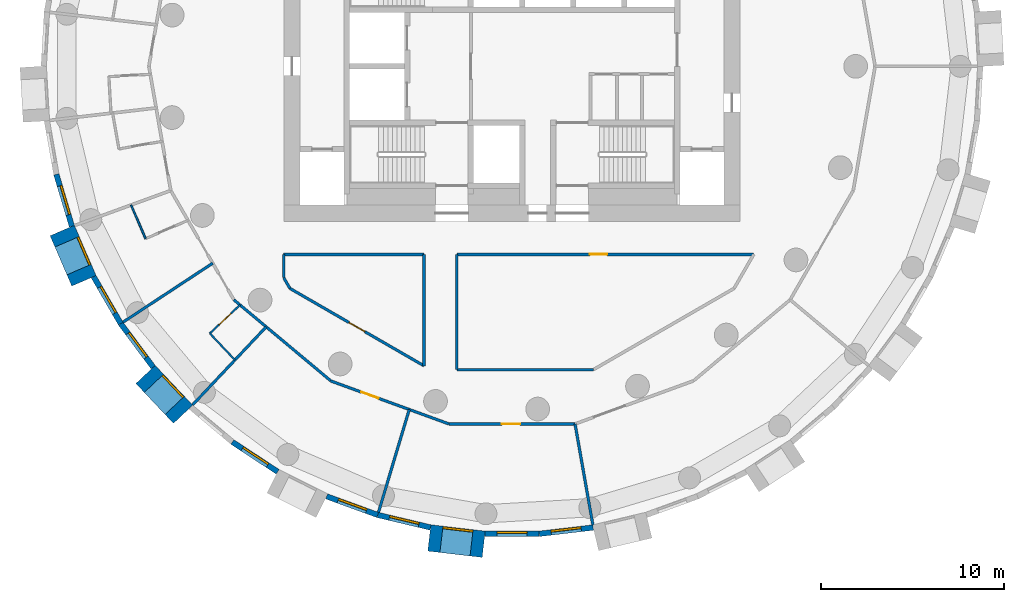
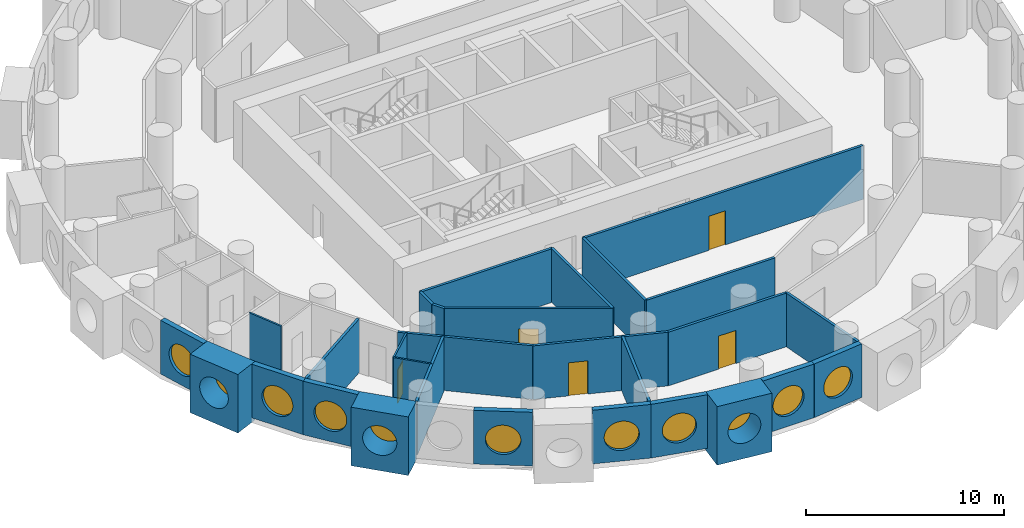
# One storey, part 2 of 9: 29 walls, 11 windows, 5 doors, 16 openings.
"""IFC4 building model written with IfcOpenShell, lengths in metres."""

from ifc_helpers import new_model, si_unit, direction, frame, frame_2d, origin, origin_2d, place, context, subcontext, project, spatial, rectangle, circle, extrude, material, layer, layer_set, type_object, element, fill, save


model = new_model("IFC4")

# Units and contexts
model_context = context("Model", 3, precision=1e-05, world=origin(), true_north=direction((0.0, 1.0)))
body_context = subcontext(model_context, "Body", "Model", "MODEL_VIEW")
ifc_project = project(units=[si_unit("LENGTHUNIT", "METRE"), si_unit("AREAUNIT", "SQUARE_METRE"), si_unit("VOLUMEUNIT", "CUBIC_METRE"), si_unit("PLANEANGLEUNIT", "RADIAN"), si_unit("MASSUNIT", "GRAM", prefix="KILO")], contexts=[model_context])

# Site, building, storey
site_placement = place(None, origin())
site = spatial("IfcSite", under=ifc_project, at=site_placement, CompositionType="ELEMENT")
building_placement = place(site_placement, origin())
building = spatial("IfcBuilding", under=site, at=building_placement, Name="Tracery Tower", CompositionType="ELEMENT")
storey_placement = place(building_placement, frame((0.0, 0.0, 205.199951171875)))
storey = spatial("IfcBuildingStorey", under=building, at=storey_placement, Name="L53", CompositionType="ELEMENT", Elevation=205.199951171875)

# Wall, opening, window
ifc_material_1 = material(Name="Precast concrete C50/60", Category="concrete")
ifc_layer_1 = layer(ifc_material_1, 1.449951171875)
ifc_layer_set_1 = layer_set([ifc_layer_1], Name="Deep-set bay unit 3000 x 3600, slab edge 300")
wall_type_1 = type_object("IfcWallType", Name="Deep-set bay unit 3000 x 3600, slab edge 300", PredefinedType="ELEMENTEDWALL", material=ifc_layer_set_1)
wall_1_placement = place(storey_placement, frame((-24.632080078125, -8.99169921875, -0.300048828125), z_axis=(0.0, 0.0, 1.0), x_axis=(0.396079003245, -0.918216435917, 0.0)))
wall_1 = element("IfcWall", 1, at=wall_1_placement, inside=storey, type_object=wall_type_1, Name="Deep-set bay unit 31 at L53", PredefinedType="ELEMENTEDWALL", context=body_context, shape_type="SweptSolid", body=[
    extrude(rectangle(XDim=3.0, YDim=1.449951171875, at=frame_2d((1.5, 0.0))), origin(), (0.0, 0.0, 1.0), 3.60009765625),
])
opening_1_placement = place(wall_1_placement, frame((1.5, 0.0, 1.85009765625)))
opening_1 = element("IfcOpeningElement", 2, at=opening_1_placement, cuts=wall_1, Name="Opening WN1", PredefinedType="OPENING", context=body_context, shape_type="SweptSolid", body=[
    extrude(circle(Radius=0.9000244140625, at=origin_2d()), frame((0.0, 0.73486328125, 0.0), z_axis=(0.0, -1.0, 0.0), x_axis=(1.0, 0.0, 0.0)), (0.0, 0.0, 1.0), 1.469970703125),
])
ifc_material_2 = material(Name="Aluminium frame with tinted double glazing", Category="aluminium")
window_type = type_object("IfcWindowType", Name="Round window 1800", PartitioningType="SINGLE_PANEL", PredefinedType="WINDOW", material=ifc_material_2)
window_1_placement = place(opening_1_placement, origin())
window_1 = element("IfcWindow", 3, at=window_1_placement, inside=storey, type_object=window_type, Name="Round window 31 at L53", OverallHeight=1.800048828125, OverallWidth=1.800048828125, PartitioningType="SINGLE_PANEL", PredefinedType="WINDOW", context=body_context, shape_type="SweptSolid", body=[
    extrude(circle(Radius=0.9000244140625, at=origin_2d()), frame((0.0, 0.69482421875, 0.0), z_axis=(0.0, -1.0, 0.0), x_axis=(1.0, 0.0, 0.0)), (0.0, 0.0, 1.0), 0.10009765625),
])
fill(opening_1, window_1)

wall_2_placement = place(storey_placement, frame((-20.0712890625, -16.8740234375, -0.300048828125), z_axis=(0.0, 0.0, 1.0), x_axis=(0.686217177108, -0.727396718334, 0.0)))
wall_2 = element("IfcWall", 4, at=wall_2_placement, inside=storey, type_object=wall_type_1, Name="Deep-set bay unit 34 at L53", PredefinedType="ELEMENTEDWALL", context=body_context, shape_type="SweptSolid", body=[
    extrude(rectangle(XDim=3.0, YDim=1.449951171875, at=frame_2d((1.5, 0.0))), origin(), (0.0, 0.0, 1.0), 3.60009765625),
])
opening_2_placement = place(wall_2_placement, frame((1.5, 0.0, 1.85009765625)))
opening_2 = element("IfcOpeningElement", 5, at=opening_2_placement, cuts=wall_2, Name="Opening WN1", PredefinedType="OPENING", context=body_context, shape_type="SweptSolid", body=[
    extrude(circle(Radius=0.9000244140625, at=origin_2d()), frame((0.0, 0.73486328125, 0.0), z_axis=(0.0, -1.0, 0.0), x_axis=(1.0, 0.0, 0.0)), (0.0, 0.0, 1.0), 1.469970703125),
])
window_2_placement = place(opening_2_placement, origin())
window_2 = element("IfcWindow", 6, at=window_2_placement, inside=storey, type_object=window_type, Name="Round window 34 at L53", OverallHeight=1.800048828125, OverallWidth=1.800048828125, PartitioningType="SINGLE_PANEL", PredefinedType="WINDOW", context=body_context, shape_type="SweptSolid", body=[
    extrude(circle(Radius=0.9000244140625, at=origin_2d()), frame((0.0, 0.69482421875, 0.0), z_axis=(0.0, -1.0, 0.0), x_axis=(1.0, 0.0, 0.0)), (0.0, 0.0, 1.0), 0.10009765625),
])
fill(opening_2, window_2)

wall_3_placement = place(storey_placement, frame((-4.529052734375, -25.827880859375, -0.300048828125), z_axis=(0.0, 0.0, 1.0), x_axis=(0.9932342274, -0.116128246006, 0.0)))
wall_3 = element("IfcWall", 7, at=wall_3_placement, inside=storey, type_object=wall_type_1, Name="Deep-set bay unit 40 at L53", PredefinedType="ELEMENTEDWALL", context=body_context, shape_type="SweptSolid", body=[
    extrude(rectangle(XDim=3.0, YDim=1.449951171875, at=frame_2d((1.5, 0.0))), origin(), (0.0, 0.0, 1.0), 3.60009765625),
])
opening_3_placement = place(wall_3_placement, frame((1.5, 0.0, 1.85009765625)))
opening_3 = element("IfcOpeningElement", 8, at=opening_3_placement, cuts=wall_3, Name="Opening WN1", PredefinedType="OPENING", context=body_context, shape_type="SweptSolid", body=[
    extrude(circle(Radius=0.9000244140625, at=origin_2d()), frame((0.0, 0.73486328125, 0.0), z_axis=(0.0, -1.0, 0.0), x_axis=(1.0, 0.0, 0.0)), (0.0, 0.0, 1.0), 1.469970703125),
])
window_3_placement = place(opening_3_placement, origin())
window_3 = element("IfcWindow", 9, at=window_3_placement, inside=storey, type_object=window_type, Name="Round window 40 at L53", OverallHeight=1.800048828125, OverallWidth=1.800048828125, PartitioningType="SINGLE_PANEL", PredefinedType="WINDOW", context=body_context, shape_type="SweptSolid", body=[
    extrude(circle(Radius=0.9000244140625, at=origin_2d()), frame((0.0, 0.69482421875, 0.0), z_axis=(0.0, -1.0, 0.0), x_axis=(1.0, 0.0, 0.0)), (0.0, 0.0, 1.0), 0.10009765625),
])
fill(opening_3, window_3)

ifc_material_3 = material(Name="Precast concrete C50/60", Category="concrete")
ifc_layer_2 = layer(ifc_material_3, 0.300048828125)
ifc_layer_set_2 = layer_set([ifc_layer_2], Name="Facade panel 3000 x 3300")
wall_type_2 = type_object("IfcWallType", Name="Facade panel 3000 x 3300", PredefinedType="SOLIDWALL", material=ifc_layer_set_2)
wall_4_placement = place(storey_placement, frame((-24.9560546875, -5.914794921875, 0.0), z_axis=(0.0, 0.0, 1.0), x_axis=(0.286782750849, -0.957995643944, 0.0)))
wall_4 = element("IfcWall", 10, at=wall_4_placement, inside=storey, type_object=wall_type_2, Name="Facade panel 30 at L53", PredefinedType="SOLIDWALL", context=body_context, shape_type="SweptSolid", body=[
    extrude(rectangle(XDim=2.97265625, YDim=0.300048828125, at=frame_2d((1.486328125, 0.0))), origin(), (0.0, 0.0, 1.0), 3.300048828125),
])
opening_4_placement = place(wall_4_placement, frame((1.486328125, 0.0, 1.5498046875)))
opening_4 = element("IfcOpeningElement", 11, at=opening_4_placement, cuts=wall_4, Name="Opening WN1", PredefinedType="OPENING", context=body_context, shape_type="SweptSolid", body=[
    extrude(circle(Radius=0.9000244140625, at=origin_2d()), frame((0.0, 0.159912109375, 0.0), z_axis=(0.0, -1.0, 0.0), x_axis=(1.0, 0.0, 0.0)), (0.0, 0.0, 1.0), 0.320068359375),
])
window_4_placement = place(opening_4_placement, origin())
window_4 = element("IfcWindow", 12, at=window_4_placement, inside=storey, type_object=window_type, Name="Round window 30 at L53", OverallHeight=1.800048828125, OverallWidth=1.800048828125, PartitioningType="SINGLE_PANEL", PredefinedType="WINDOW", context=body_context, shape_type="SweptSolid", body=[
    extrude(circle(Radius=0.9000244140625, at=origin_2d()), frame((0.0, 0.1201171875, 0.0), z_axis=(0.0, -1.0, 0.0), x_axis=(1.0, 0.0, 0.0)), (0.0, 0.0, 1.0), 0.10009765625),
])
fill(opening_4, window_4)

wall_5_placement = place(storey_placement, frame((-22.91455078125, -11.518798828125, 0.0), z_axis=(0.0, 0.0, 1.0), x_axis=(0.499954672104, -0.866051572276, 0.0)))
wall_5 = element("IfcWall", 13, at=wall_5_placement, inside=storey, type_object=wall_type_2, Name="Facade panel 32 at L53", PredefinedType="SOLIDWALL", context=body_context, shape_type="SweptSolid", body=[
    extrude(rectangle(XDim=2.972900390625, YDim=0.300048828125, at=frame_2d((1.486328125, 0.0))), origin(), (0.0, 0.0, 1.0), 3.300048828125),
])
opening_5_placement = place(wall_5_placement, frame((1.486328125, 0.0, 1.5498046875)))
opening_5 = element("IfcOpeningElement", 14, at=opening_5_placement, cuts=wall_5, Name="Opening WN1", PredefinedType="OPENING", context=body_context, shape_type="SweptSolid", body=[
    extrude(circle(Radius=0.9000244140625, at=origin_2d()), frame((0.0, 0.159912109375, 0.0), z_axis=(0.0, -1.0, 0.0), x_axis=(1.0, 0.0, 0.0)), (0.0, 0.0, 1.0), 0.320068359375),
])
window_5_placement = place(opening_5_placement, origin())
window_5 = element("IfcWindow", 15, at=window_5_placement, inside=storey, type_object=window_type, Name="Round window 32 at L53", OverallHeight=1.800048828125, OverallWidth=1.800048828125, PartitioningType="SINGLE_PANEL", PredefinedType="WINDOW", context=body_context, shape_type="SweptSolid", body=[
    extrude(circle(Radius=0.9000244140625, at=origin_2d()), frame((0.0, 0.1201171875, 0.0), z_axis=(0.0, -1.0, 0.0), x_axis=(1.0, 0.0, 0.0)), (0.0, 0.0, 1.0), 0.10009765625),
])
fill(opening_5, window_5)

wall_6_placement = place(storey_placement, frame((-21.42822265625, -14.093505859375, 0.0), z_axis=(0.0, 0.0, 1.0), x_axis=(0.597197580538, -0.80209416517, 0.0)))
wall_6 = element("IfcWall", 16, at=wall_6_placement, inside=storey, type_object=wall_type_2, Name="Facade panel 33 at L53", PredefinedType="SOLIDWALL", context=body_context, shape_type="SweptSolid", body=[
    extrude(rectangle(XDim=2.972900390625, YDim=0.300048828125, at=frame_2d((1.486328125, 0.0))), origin(), (0.0, 0.0, 1.0), 3.300048828125),
])
opening_6_placement = place(wall_6_placement, frame((1.486328125, 0.0, 1.5498046875)))
opening_6 = element("IfcOpeningElement", 17, at=opening_6_placement, cuts=wall_6, Name="Opening WN1", PredefinedType="OPENING", context=body_context, shape_type="SweptSolid", body=[
    extrude(circle(Radius=0.9000244140625, at=origin_2d()), frame((0.0, 0.159912109375, 0.0), z_axis=(0.0, -1.0, 0.0), x_axis=(1.0, 0.0, 0.0)), (0.0, 0.0, 1.0), 0.320068359375),
])
window_6_placement = place(opening_6_placement, origin())
window_6 = element("IfcWindow", 18, at=window_6_placement, inside=storey, type_object=window_type, Name="Round window 33 at L53", OverallHeight=1.800048828125, OverallWidth=1.800048828125, PartitioningType="SINGLE_PANEL", PredefinedType="WINDOW", context=body_context, shape_type="SweptSolid", body=[
    extrude(circle(Radius=0.9000244140625, at=origin_2d()), frame((0.0, 0.1201171875, 0.0), z_axis=(0.0, -1.0, 0.0), x_axis=(1.0, 0.0, 0.0)), (0.0, 0.0, 1.0), 0.10009765625),
])
fill(opening_6, window_6)

wall_7_placement = place(storey_placement, frame((-15.315673828125, -20.572509765625, 0.0), z_axis=(0.0, 0.0, 1.0), x_axis=(0.835508361394, -0.54947773207, 0.0)))
wall_7 = element("IfcWall", 19, at=wall_7_placement, inside=storey, type_object=wall_type_2, Name="Facade panel 36 at L53", PredefinedType="SOLIDWALL", context=body_context, shape_type="SweptSolid", body=[
    extrude(rectangle(XDim=2.972900390625, YDim=0.300048828125, at=frame_2d((1.486328125, 0.0))), origin(), (0.0, 0.0, 1.0), 3.300048828125),
])
opening_7_placement = place(wall_7_placement, frame((1.486328125, 0.0, 1.5498046875)))
opening_7 = element("IfcOpeningElement", 20, at=opening_7_placement, cuts=wall_7, Name="Opening WN1", PredefinedType="OPENING", context=body_context, shape_type="SweptSolid", body=[
    extrude(circle(Radius=0.9000244140625, at=origin_2d()), frame((0.0, 0.159912109375, 0.0), z_axis=(0.0, -1.0, 0.0), x_axis=(1.0, 0.0, 0.0)), (0.0, 0.0, 1.0), 0.320068359375),
])
window_7_placement = place(opening_7_placement, origin())
window_7 = element("IfcWindow", 21, at=window_7_placement, inside=storey, type_object=window_type, Name="Round window 36 at L53", OverallHeight=1.800048828125, OverallWidth=1.800048828125, PartitioningType="SINGLE_PANEL", PredefinedType="WINDOW", context=body_context, shape_type="SweptSolid", body=[
    extrude(circle(Radius=0.9000244140625, at=origin_2d()), frame((0.0, 0.1201171875, 0.0), z_axis=(0.0, -1.0, 0.0), x_axis=(1.0, 0.0, 0.0)), (0.0, 0.0, 1.0), 0.10009765625),
])
fill(opening_7, window_7)

wall_8_placement = place(storey_placement, frame((-10.1494140625, -23.55322265625, 0.0), z_axis=(0.0, 0.0, 1.0), x_axis=(0.939690282133, -0.342026568652, 0.0)))
wall_8 = element("IfcWall", 22, at=wall_8_placement, inside=storey, type_object=wall_type_2, Name="Facade panel 38 at L53", PredefinedType="SOLIDWALL", context=body_context, shape_type="SweptSolid", body=[
    extrude(rectangle(XDim=2.972900390625, YDim=0.300048828125, at=frame_2d((1.486328125, 0.0))), origin(), (0.0, 0.0, 1.0), 3.300048828125),
])
opening_8_placement = place(wall_8_placement, frame((1.486328125, 0.0, 1.5498046875)))
opening_8 = element("IfcOpeningElement", 23, at=opening_8_placement, cuts=wall_8, Name="Opening WN1", PredefinedType="OPENING", context=body_context, shape_type="SweptSolid", body=[
    extrude(circle(Radius=0.9000244140625, at=origin_2d()), frame((0.0, 0.159912109375, 0.0), z_axis=(0.0, -1.0, 0.0), x_axis=(1.0, 0.0, 0.0)), (0.0, 0.0, 1.0), 0.320068359375),
])
window_8_placement = place(opening_8_placement, origin())
window_8 = element("IfcWindow", 24, at=window_8_placement, inside=storey, type_object=window_type, Name="Round window 38 at L53", OverallHeight=1.800048828125, OverallWidth=1.800048828125, PartitioningType="SINGLE_PANEL", PredefinedType="WINDOW", context=body_context, shape_type="SweptSolid", body=[
    extrude(circle(Radius=0.9000244140625, at=origin_2d()), frame((0.0, 0.1201171875, 0.0), z_axis=(0.0, -1.0, 0.0), x_axis=(1.0, 0.0, 0.0)), (0.0, 0.0, 1.0), 0.10009765625),
])
fill(opening_8, window_8)

wall_9_placement = place(storey_placement, frame((-7.355712890625, -24.570068359375, 0.0), z_axis=(0.0, 0.0, 1.0), x_axis=(0.973045378923, -0.230613725862, 0.0)))
wall_9 = element("IfcWall", 25, at=wall_9_placement, inside=storey, type_object=wall_type_2, Name="Facade panel 39 at L53", PredefinedType="SOLIDWALL", context=body_context, shape_type="SweptSolid", body=[
    extrude(rectangle(XDim=2.97265625, YDim=0.300048828125, at=frame_2d((1.486328125, 0.0))), origin(), (0.0, 0.0, 1.0), 3.300048828125),
])
opening_9_placement = place(wall_9_placement, frame((1.486328125, 0.0, 1.5498046875)))
opening_9 = element("IfcOpeningElement", 26, at=opening_9_placement, cuts=wall_9, Name="Opening WN1", PredefinedType="OPENING", context=body_context, shape_type="SweptSolid", body=[
    extrude(circle(Radius=0.9000244140625, at=origin_2d()), frame((0.0, 0.159912109375, 0.0), z_axis=(0.0, -1.0, 0.0), x_axis=(1.0, 0.0, 0.0)), (0.0, 0.0, 1.0), 0.320068359375),
])
window_9_placement = place(opening_9_placement, origin())
window_9 = element("IfcWindow", 27, at=window_9_placement, inside=storey, type_object=window_type, Name="Round window 39 at L53", OverallHeight=1.800048828125, OverallWidth=1.800048828125, PartitioningType="SINGLE_PANEL", PredefinedType="WINDOW", context=body_context, shape_type="SweptSolid", body=[
    extrude(circle(Radius=0.9000244140625, at=origin_2d()), frame((0.0, 0.1201171875, 0.0), z_axis=(0.0, -1.0, 0.0), x_axis=(1.0, 0.0, 0.0)), (0.0, 0.0, 1.0), 0.10009765625),
])
fill(opening_9, window_9)

wall_10_placement = place(storey_placement, frame((-1.481689453125, -25.60400390625, 0.0), z_axis=(0.0, 0.0, 1.0), x_axis=(1.0, 0.0, 0.0)))
wall_10 = element("IfcWall", 28, at=wall_10_placement, inside=storey, type_object=wall_type_2, Name="Facade panel 41 at L53", PredefinedType="SOLIDWALL", context=body_context, shape_type="SweptSolid", body=[
    extrude(rectangle(XDim=2.972900390625, YDim=0.300048828125, at=frame_2d((1.486328125, 0.0))), origin(), (0.0, 0.0, 1.0), 3.300048828125),
])
opening_10_placement = place(wall_10_placement, frame((1.486328125, 0.0, 1.5498046875)))
opening_10 = element("IfcOpeningElement", 29, at=opening_10_placement, cuts=wall_10, Name="Opening WN1", PredefinedType="OPENING", context=body_context, shape_type="SweptSolid", body=[
    extrude(circle(Radius=0.9000244140625, at=origin_2d()), frame((0.0, 0.159912109375, 0.0), z_axis=(0.0, -1.0, 0.0), x_axis=(1.0, 0.0, 0.0)), (0.0, 0.0, 1.0), 0.320068359375),
])
window_10_placement = place(opening_10_placement, origin())
window_10 = element("IfcWindow", 30, at=window_10_placement, inside=storey, type_object=window_type, Name="Round window 41 at L53", OverallHeight=1.800048828125, OverallWidth=1.800048828125, PartitioningType="SINGLE_PANEL", PredefinedType="WINDOW", context=body_context, shape_type="SweptSolid", body=[
    extrude(circle(Radius=0.9000244140625, at=origin_2d()), frame((0.0, 0.1201171875, 0.0), z_axis=(0.0, -1.0, 0.0), x_axis=(1.0, 0.0, 0.0)), (0.0, 0.0, 1.0), 0.10009765625),
])
fill(opening_10, window_10)

wall_11_placement = place(storey_placement, frame((1.4912109375, -25.60400390625, 0.0), z_axis=(0.0, 0.0, 1.0), x_axis=(0.993245010522, 0.1160359818, 0.0)))
wall_11 = element("IfcWall", 31, at=wall_11_placement, inside=storey, type_object=wall_type_2, Name="Facade panel 42 at L53", PredefinedType="SOLIDWALL", context=body_context, shape_type="SweptSolid", body=[
    extrude(rectangle(XDim=2.972900390625, YDim=0.300048828125, at=frame_2d((1.486328125, 0.0))), origin(), (0.0, 0.0, 1.0), 3.300048828125),
])
opening_11_placement = place(wall_11_placement, frame((1.486328125, 0.0, 1.5498046875)))
opening_11 = element("IfcOpeningElement", 32, at=opening_11_placement, cuts=wall_11, Name="Opening WN1", PredefinedType="OPENING", context=body_context, shape_type="SweptSolid", body=[
    extrude(circle(Radius=0.9000244140625, at=origin_2d()), frame((0.0, 0.159912109375, 0.0), z_axis=(0.0, -1.0, 0.0), x_axis=(1.0, 0.0, 0.0)), (0.0, 0.0, 1.0), 0.320068359375),
])
window_11_placement = place(opening_11_placement, origin())
window_11 = element("IfcWindow", 33, at=window_11_placement, inside=storey, type_object=window_type, Name="Round window 42 at L53", OverallHeight=1.800048828125, OverallWidth=1.800048828125, PartitioningType="SINGLE_PANEL", PredefinedType="WINDOW", context=body_context, shape_type="SweptSolid", body=[
    extrude(circle(Radius=0.9000244140625, at=origin_2d()), frame((0.0, 0.1201171875, 0.0), z_axis=(0.0, -1.0, 0.0), x_axis=(1.0, 0.0, 0.0)), (0.0, 0.0, 1.0), 0.10009765625),
])
fill(opening_11, window_11)

# Wall
ifc_material_4 = material(Name="Plasterboard on steel studs", Category="steel")
ifc_layer_3 = layer(ifc_material_4, 0.10009765625)
ifc_layer_set_3 = layer_set([ifc_layer_3], Name="Partition 100 wet wall")
wall_type_3 = type_object("IfcWallType", Name="Partition 100 wet wall", PredefinedType="PARTITIONING", material=ifc_layer_set_3)
wall_12_placement = place(storey_placement, frame((-20.862060546875, -7.593017578125, 0.0), z_axis=(0.0, 0.0, 1.0), x_axis=(0.395972527348, -0.918262357709, 0.0)))
element("IfcWall", 34, at=wall_12_placement, inside=storey, type_object=wall_type_3, Name="Wet wall RB8-055", PredefinedType="PARTITIONING", context=body_context, shape_type="SweptSolid", body=[
    extrude(rectangle(XDim=2.008056640625, YDim=0.10009765625, at=frame_2d((1.00390625, 0.0))), origin(), (0.0, 0.0, 1.0), 3.300048828125),
])

# Wall, opening, door
wall_13_placement = place(storey_placement, frame((-16.549072265625, -14.6259765625, 0.0), z_axis=(0.0, 0.0, 1.0), x_axis=(0.727754926423, 0.68583727448, 0.0)))
wall_13 = element("IfcWall", 35, at=wall_13_placement, inside=storey, type_object=wall_type_3, Name="Wet wall RB8-058", PredefinedType="PARTITIONING", context=body_context, shape_type="SweptSolid", body=[
    extrude(rectangle(XDim=2.271484375, YDim=0.10009765625, at=frame_2d((1.1357421875, 0.0))), origin(), (0.0, 0.0, 1.0), 3.300048828125),
])
opening_12_placement = place(wall_13_placement, frame((0.685546875, 0.0, 0.0)))
opening_12 = element("IfcOpeningElement", 36, at=opening_12_placement, cuts=wall_13, Name="Opening RB8-17", PredefinedType="OPENING", context=body_context, shape_type="SweptSolid", body=[
    extrude(rectangle(XDim=0.89990234375, YDim=2.0400390625, at=frame_2d((0.449951171875, 1.02001953125))), frame((0.0, 0.050048828125, 0.0), z_axis=(0.0, -1.0, 0.0), x_axis=(1.0, 0.0, 0.0)), (0.0, 0.0, 1.0), 0.10009765625),
])
ifc_material_5 = material(Name="Timber door leaf", Category="wood")
door_type_1 = type_object("IfcDoorType", Name="Door en-suite 900", OperationType="NOTDEFINED", PredefinedType="DOOR", material=ifc_material_5)
door_1_placement = place(opening_12_placement, origin())
door_1 = element("IfcDoor", 37, at=door_1_placement, inside=storey, type_object=door_type_1, Name="En-suite door RB8-17", OperationType="SINGLE_SWING_RIGHT", OverallHeight=2.0400390625, OverallWidth=0.89990234375, PredefinedType="DOOR", context=body_context, shape_type="SweptSolid", body=[
    extrude(rectangle(XDim=0.89990234375, YDim=2.0400390625, at=frame_2d((0.449951171875, 1.02001953125))), frame((0.0, 0.02490234375, 0.0), z_axis=(0.0, -1.0, 0.0), x_axis=(1.0, 0.0, 0.0)), (0.0, 0.0, 1.0), 0.050048828125),
])
fill(opening_12, door_1)

# Walls
wall_14_placement = place(storey_placement, frame((-16.549072265625, -14.6259765625, 0.0), z_axis=(0.0, 0.0, 1.0), x_axis=(0.686337209023, -0.727283462971, 0.0)))
element("IfcWall", 38, at=wall_14_placement, inside=storey, type_object=wall_type_3, Name="Wet wall RB8-059", PredefinedType="PARTITIONING", context=body_context, shape_type="SweptSolid", body=[
    extrude(rectangle(XDim=2.00341796875, YDim=0.10009765625, at=frame_2d((1.001708984375, 0.0))), origin(), (0.0, 0.0, 1.0), 3.300048828125),
])
ifc_material_6 = material(Name="Plasterboard on steel studs", Category="steel")
ifc_layer_4 = layer(ifc_material_6, 0.14990234375)
ifc_layer_set_4 = layer_set([ifc_layer_4], Name="Partition 150 acoustic unit wall")
wall_type_4 = type_object("IfcWallType", Name="Partition 150 acoustic unit wall", PredefinedType="PARTITIONING", material=ifc_layer_set_4)
wall_15_placement = place(storey_placement, frame((-21.302978515625, -14.010986328125, 0.0), z_axis=(0.0, 0.0, 1.0), x_axis=(0.835534987945, 0.54943724293, 0.0)))
element("IfcWall", 39, at=wall_15_placement, inside=storey, type_object=wall_type_4, Name="Unit wall RB8-057", PredefinedType="PARTITIONING", context=body_context, shape_type="SweptSolid", body=[
    extrude(rectangle(XDim=5.878662109375, YDim=0.14990234375, at=frame_2d((2.939453125, 0.0))), origin(), (0.0, 0.0, 1.0), 3.300048828125),
])
wall_16_placement = place(storey_placement, frame((-17.4970703125, -18.5458984375, 0.0), z_axis=(0.0, 0.0, 1.0), x_axis=(0.68614289064, 0.727466792111, 0.0)))
element("IfcWall", 40, at=wall_16_placement, inside=storey, type_object=wall_type_4, Name="Unit wall RB8-060", PredefinedType="PARTITIONING", context=body_context, shape_type="SweptSolid", body=[
    extrude(rectangle(XDim=5.87841796875, YDim=0.14990234375, at=frame_2d((2.939208984375, 0.0))), origin(), (0.0, 0.0, 1.0), 3.300048828125),
])
wall_17_placement = place(storey_placement, frame((-7.31298828125, -24.426025390625, 0.0), z_axis=(0.0, 0.0, 1.0), x_axis=(0.286833432865, 0.957980470464, 0.0)))
element("IfcWall", 41, at=wall_17_placement, inside=storey, type_object=wall_type_4, Name="Unit wall RB8-061", PredefinedType="PARTITIONING", context=body_context, shape_type="SweptSolid", body=[
    extrude(rectangle(XDim=5.878173828125, YDim=0.14990234375, at=frame_2d((2.93896484375, 0.0))), origin(), (0.0, 0.0, 1.0), 3.300048828125),
])
wall_18_placement = place(storey_placement, frame((3.452880859375, -19.5859375, 0.0), z_axis=(0.0, 0.0, 1.0), x_axis=(0.17382754149, -0.984776109489, 0.0)))
element("IfcWall", 42, at=wall_18_placement, inside=storey, type_object=wall_type_4, Name="Unit wall RB8-062", PredefinedType="PARTITIONING", context=body_context, shape_type="SweptSolid", body=[
    extrude(rectangle(XDim=5.609619140625, YDim=0.14990234375, at=frame_2d((2.8046875, 0.0))), origin(), (0.0, 0.0, 1.0), 3.300048828125),
])
ifc_material_7 = material(Name="Plasterboard on steel studs", Category="steel")
ifc_layer_5 = layer(ifc_material_7, 0.14990234375)
ifc_layer_set_5 = layer_set([ifc_layer_5], Name="Partition 150 corridor wall")
wall_type_5 = type_object("IfcWallType", Name="Partition 150 corridor wall", PredefinedType="PARTITIONING", material=ifc_layer_set_5)
wall_19_placement = place(storey_placement, frame((-12.50390625, -10.300048828125, 0.0), z_axis=(0.0, 0.0, 1.0), x_axis=(1.0, 0.0, 0.0)))
element("IfcWall", 43, at=wall_19_placement, inside=storey, type_object=wall_type_5, Name="Corridor wall RB8-003", PredefinedType="PARTITIONING", context=body_context, shape_type="SweptSolid", body=[
    extrude(rectangle(XDim=7.68701171875, YDim=0.14990234375, at=frame_2d((3.843505859375, 0.0))), origin(), (0.0, 0.0, 1.0), 3.300048828125),
])

# Wall, opening, door
wall_20_placement = place(storey_placement, frame((-3.02490234375, -10.300048828125, 0.0), z_axis=(0.0, 0.0, 1.0), x_axis=(1.0, 0.0, 0.0)))
wall_20 = element("IfcWall", 44, at=wall_20_placement, inside=storey, type_object=wall_type_5, Name="Corridor wall RB8-004", PredefinedType="PARTITIONING", context=body_context, shape_type="SweptSolid", body=[
    extrude(rectangle(XDim=16.261962890625, YDim=0.14990234375, at=frame_2d((8.130859375, 0.0))), origin(), (0.0, 0.0, 1.0), 3.300048828125),
])
opening_13_placement = place(wall_20_placement, frame((7.287109375, 0.0, 0.0)))
opening_13 = element("IfcOpeningElement", 45, at=opening_13_placement, cuts=wall_20, Name="Opening RB8-04", PredefinedType="OPENING", context=body_context, shape_type="SweptSolid", body=[
    extrude(rectangle(XDim=0.949951171875, YDim=2.10009765625, at=frame_2d((0.47509765625, 1.050048828125))), frame((0.0, 0.074951171875, 0.0), z_axis=(0.0, -1.0, 0.0), x_axis=(1.0, 0.0, 0.0)), (0.0, 0.0, 1.0), 0.14990234375),
])
ifc_material_8 = material(Name="Timber door leaf", Category="wood")
door_type_2 = type_object("IfcDoorType", Name="Door store 950", OperationType="NOTDEFINED", PredefinedType="DOOR", material=ifc_material_8)
door_2_placement = place(opening_13_placement, origin())
door_2 = element("IfcDoor", 46, at=door_2_placement, inside=storey, type_object=door_type_2, Name="Store door RB8-04", OperationType="SINGLE_SWING_RIGHT", OverallHeight=2.10009765625, OverallWidth=0.949951171875, PredefinedType="DOOR", context=body_context, shape_type="SweptSolid", body=[
    extrude(rectangle(XDim=0.949951171875, YDim=2.10009765625, at=frame_2d((0.47509765625, 1.050048828125))), frame((0.0, 0.02490234375, 0.0), z_axis=(0.0, -1.0, 0.0), x_axis=(1.0, 0.0, 0.0)), (0.0, 0.0, 1.0), 0.050048828125),
])
fill(opening_13, door_2)

# Walls
wall_21_placement = place(storey_placement, frame((-12.5, -11.576904296875, 0.0), z_axis=(0.0, 0.0, 1.0), x_axis=(0.0, 1.0, 0.0)))
element("IfcWall", 47, at=wall_21_placement, inside=storey, type_object=wall_type_5, Name="Corridor wall RB8-024", PredefinedType="PARTITIONING", context=body_context, shape_type="SweptSolid", body=[
    extrude(rectangle(XDim=1.27685546875, YDim=0.14990234375, at=frame_2d((0.638427734375, 0.0))), origin(), (0.0, 0.0, 1.0), 3.300048828125),
])
wall_22_placement = place(storey_placement, frame((-12.5, -11.576904296875, 0.0), z_axis=(0.0, 0.0, 1.0), x_axis=(0.500024767483, -0.866011103799, 0.0)))
element("IfcWall", 48, at=wall_22_placement, inside=storey, type_object=wall_type_5, Name="Corridor wall RB8-025", PredefinedType="PARTITIONING", context=body_context, shape_type="SweptSolid", body=[
    extrude(rectangle(XDim=0.67578125, YDim=0.14990234375, at=frame_2d((0.337890625, 0.0))), origin(), (0.0, 0.0, 1.0), 3.300048828125),
])
wall_23_placement = place(storey_placement, frame((-15.235107421875, -12.783935546875, 0.0), z_axis=(0.0, 0.0, 1.0), x_axis=(0.767110396068, -0.641515113029, 0.0)))
element("IfcWall", 49, at=wall_23_placement, inside=storey, type_object=wall_type_5, Name="Corridor wall RB8-031", PredefinedType="PARTITIONING", context=body_context, shape_type="SweptSolid", body=[
    extrude(rectangle(XDim=6.906494140625, YDim=0.14990234375, at=frame_2d((3.453125, 0.0))), origin(), (0.0, 0.0, 1.0), 3.300048828125),
])

# Wall, opening, door
wall_24_placement = place(storey_placement, frame((-12.162109375, -12.162109375, 0.0), z_axis=(0.0, 0.0, 1.0), x_axis=(0.866004766557, -0.500035743023, 0.0)))
wall_24 = element("IfcWall", 50, at=wall_24_placement, inside=storey, type_object=wall_type_5, Name="Corridor wall RB8-032", PredefinedType="PARTITIONING", context=body_context, shape_type="SweptSolid", body=[
    extrude(rectangle(XDim=8.47705078125, YDim=0.14990234375, at=frame_2d((4.238525390625, 0.0))), origin(), (0.0, 0.0, 1.0), 3.300048828125),
])
opening_14_placement = place(wall_24_placement, frame((3.738037109375, 0.0, 0.0)))
opening_14 = element("IfcOpeningElement", 51, at=opening_14_placement, cuts=wall_24, Name="Opening RB8-03", PredefinedType="OPENING", context=body_context, shape_type="SweptSolid", body=[
    extrude(rectangle(XDim=1.0, YDim=2.0400390625, at=frame_2d((0.5, 1.02001953125))), frame((0.0, 0.074951171875, 0.0), z_axis=(0.0, -1.0, 0.0), x_axis=(1.0, 0.0, 0.0)), (0.0, 0.0, 1.0), 0.14990234375),
])
ifc_material_9 = material(Name="Timber door leaf", Category="wood")
door_type_3 = type_object("IfcDoorType", Name="Door communal room 1000", OperationType="NOTDEFINED", PredefinedType="DOOR", material=ifc_material_9)
door_3_placement = place(opening_14_placement, origin())
door_3 = element("IfcDoor", 52, at=door_3_placement, inside=storey, type_object=door_type_3, Name="Communal room door RB8-03", OperationType="SINGLE_SWING_LEFT", OverallHeight=2.0400390625, OverallWidth=1.0, PredefinedType="DOOR", context=body_context, shape_type="SweptSolid", body=[
    extrude(rectangle(XDim=1.0, YDim=2.0400390625, at=frame_2d((0.5, 1.02001953125))), frame((0.0, 0.02490234375, 0.0), z_axis=(0.0, -1.0, 0.0), x_axis=(1.0, 0.0, 0.0)), (0.0, 0.0, 1.0), 0.050048828125),
])
fill(opening_14, door_3)

# Walls
wall_25_placement = place(storey_placement, frame((-4.821044921875, -16.40087890625, 0.0), z_axis=(0.0, 0.0, 1.0), x_axis=(0.0, 1.0, 0.0)))
element("IfcWall", 53, at=wall_25_placement, inside=storey, type_object=wall_type_5, Name="Corridor wall RB8-033", PredefinedType="PARTITIONING", context=body_context, shape_type="SweptSolid", body=[
    extrude(rectangle(XDim=6.100830078125, YDim=0.14990234375, at=frame_2d((3.05029296875, 0.0))), origin(), (0.0, 0.0, 1.0), 3.300048828125),
])
wall_26_placement = place(storey_placement, frame((-3.02099609375, -16.614013671875, 0.0), z_axis=(0.0, 0.0, 1.0), x_axis=(0.0, 1.0, 0.0)))
element("IfcWall", 54, at=wall_26_placement, inside=storey, type_object=wall_type_5, Name="Corridor wall RB8-034", PredefinedType="PARTITIONING", context=body_context, shape_type="SweptSolid", body=[
    extrude(rectangle(XDim=6.31396484375, YDim=0.14990234375, at=frame_2d((3.156982421875, 0.0))), origin(), (0.0, 0.0, 1.0), 3.300048828125),
])
wall_27_placement = place(storey_placement, frame((-3.02099609375, -16.614013671875, 0.0), z_axis=(0.0, 0.0, 1.0), x_axis=(1.0, 0.0, 0.0)))
element("IfcWall", 55, at=wall_27_placement, inside=storey, type_object=wall_type_5, Name="Corridor wall RB8-035", PredefinedType="PARTITIONING", context=body_context, shape_type="SweptSolid", body=[
    extrude(rectangle(XDim=7.472900390625, YDim=0.14990234375, at=frame_2d((3.736328125, 0.0))), origin(), (0.0, 0.0, 1.0), 3.300048828125),
])

# Wall, opening, door
wall_28_placement = place(storey_placement, frame((-9.944091796875, -17.222900390625, 0.0), z_axis=(0.0, 0.0, 1.0), x_axis=(0.939672634566, -0.342075050021, 0.0)))
wall_28 = element("IfcWall", 56, at=wall_28_placement, inside=storey, type_object=wall_type_5, Name="Corridor wall RB8-037", PredefinedType="PARTITIONING", context=body_context, shape_type="SweptSolid", body=[
    extrude(rectangle(XDim=6.907958984375, YDim=0.14990234375, at=frame_2d((3.4541015625, 0.0))), origin(), (0.0, 0.0, 1.0), 3.300048828125),
])
opening_15_placement = place(wall_28_placement, frame((1.79931640625, 0.0, 0.0)))
opening_15 = element("IfcOpeningElement", 57, at=opening_15_placement, cuts=wall_28, Name="Opening RB8-19", PredefinedType="OPENING", context=body_context, shape_type="SweptSolid", body=[
    extrude(rectangle(XDim=1.0, YDim=2.0400390625, at=frame_2d((0.5, 1.02001953125))), frame((0.0, 0.074951171875, 0.0), z_axis=(0.0, -1.0, 0.0), x_axis=(1.0, 0.0, 0.0)), (0.0, 0.0, 1.0), 0.14990234375),
])
door_4_placement = place(opening_15_placement, origin())
door_4 = element("IfcDoor", 58, at=door_4_placement, inside=storey, type_object=door_type_3, Name="Communal room door RB8-19", OperationType="SINGLE_SWING_LEFT", OverallHeight=2.0400390625, OverallWidth=1.0, PredefinedType="DOOR", context=body_context, shape_type="SweptSolid", body=[
    extrude(rectangle(XDim=1.0, YDim=2.0400390625, at=frame_2d((0.5, 1.02001953125))), frame((0.0, 0.02490234375, 0.0), z_axis=(0.0, -1.0, 0.0), x_axis=(1.0, 0.0, 0.0)), (0.0, 0.0, 1.0), 0.050048828125),
])
fill(opening_15, door_4)

wall_29_placement = place(storey_placement, frame((-3.452880859375, -19.5859375, 0.0), z_axis=(0.0, 0.0, 1.0), x_axis=(1.0, 0.0, 0.0)))
wall_29 = element("IfcWall", 59, at=wall_29_placement, inside=storey, type_object=wall_type_5, Name="Corridor wall RB8-038", PredefinedType="PARTITIONING", context=body_context, shape_type="SweptSolid", body=[
    extrude(rectangle(XDim=6.90576171875, YDim=0.14990234375, at=frame_2d((3.452880859375, 0.0))), origin(), (0.0, 0.0, 1.0), 3.300048828125),
])
opening_16_placement = place(wall_29_placement, frame((2.903076171875, 0.0, 0.0)))
opening_16 = element("IfcOpeningElement", 60, at=opening_16_placement, cuts=wall_29, Name="Opening RB8-20", PredefinedType="OPENING", context=body_context, shape_type="SweptSolid", body=[
    extrude(rectangle(XDim=1.0, YDim=2.0400390625, at=frame_2d((0.5, 1.02001953125))), frame((0.0, 0.074951171875, 0.0), z_axis=(0.0, -1.0, 0.0), x_axis=(1.0, 0.0, 0.0)), (0.0, 0.0, 1.0), 0.14990234375),
])
door_5_placement = place(opening_16_placement, origin())
door_5 = element("IfcDoor", 61, at=door_5_placement, inside=storey, type_object=door_type_3, Name="Communal room door RB8-20", OperationType="SINGLE_SWING_RIGHT", OverallHeight=2.0400390625, OverallWidth=1.0, PredefinedType="DOOR", context=body_context, shape_type="SweptSolid", body=[
    extrude(rectangle(XDim=1.0, YDim=2.0400390625, at=frame_2d((0.5, 1.02001953125))), frame((0.0, 0.02490234375, 0.0), z_axis=(0.0, -1.0, 0.0), x_axis=(1.0, 0.0, 0.0)), (0.0, 0.0, 1.0), 0.050048828125),
])
fill(opening_16, door_5)

save(model, "model.ifc")
